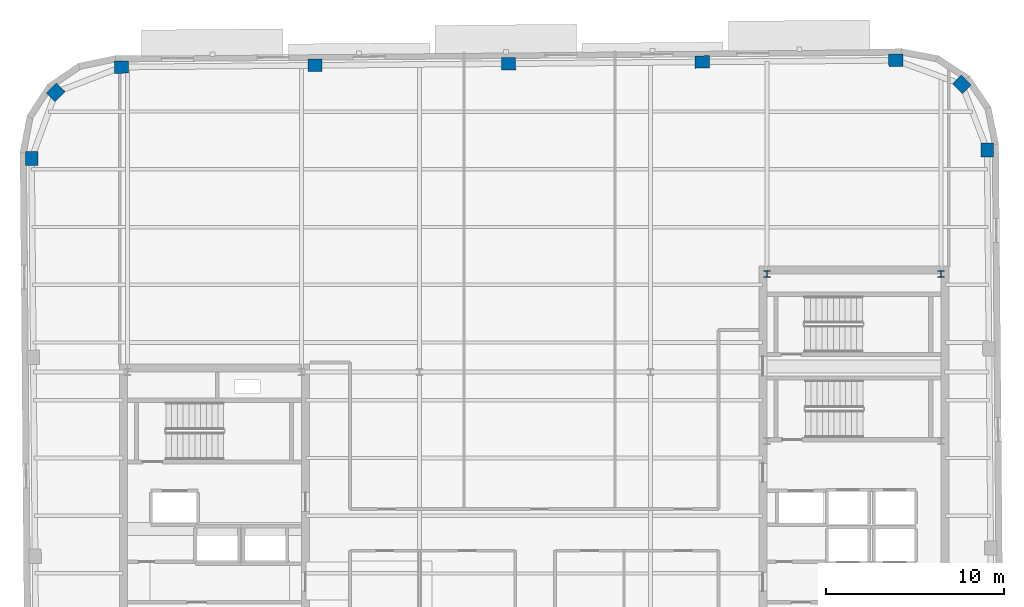
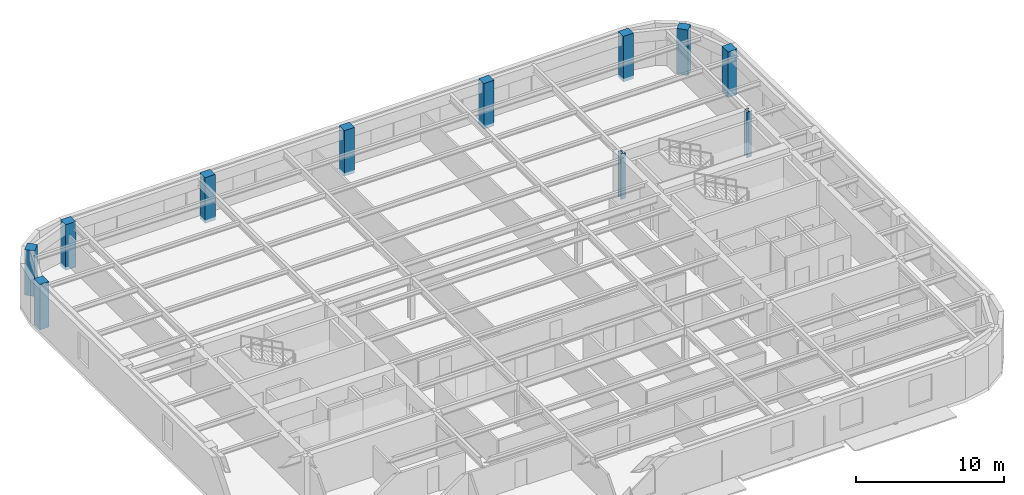
# One storey, part 3 of 13: 11 columns.
"""IFC4 building model written with IfcOpenShell, lengths in metres."""

from ifc_helpers import new_model, si_unit, direction, frame, origin, origin_2d, place, context, subcontext, project, spatial, rectangle, i_section, extrude, material, material_profile, profile_set, type_object, element, save


model = new_model("IFC4")

# Units and contexts
model_context = context("Model", 3, precision=1e-05, world=origin(), true_north=direction((0.0, 1.0)))
body_context = subcontext(model_context, "Body", "Model", "MODEL_VIEW")
ifc_project = project(units=[si_unit("LENGTHUNIT", "METRE"), si_unit("AREAUNIT", "SQUARE_METRE"), si_unit("VOLUMEUNIT", "CUBIC_METRE"), si_unit("PLANEANGLEUNIT", "RADIAN"), si_unit("MASSUNIT", "GRAM", prefix="KILO")], contexts=[model_context])

# Site, building, storey
site_placement = place(None, origin())
site = spatial("IfcSite", under=ifc_project, at=site_placement, CompositionType="ELEMENT")
building_placement = place(site_placement, origin())
building = spatial("IfcBuilding", under=site, at=building_placement, Name="Kolvaren Arena Tower", CompositionType="ELEMENT")
storey_placement = place(building_placement, frame((0.0, 0.0, 286.14990234375)))
storey = spatial("IfcBuildingStorey", under=building, at=storey_placement, Name="L70", CompositionType="ELEMENT", Elevation=286.14990234375)

# Columns
ifc_material_1 = material(Name="Precast concrete C50/60", Category="concrete")
ifc_material_profile_1 = material_profile(ifc_material_1, rectangle(XDim=0.800048828125, YDim=0.699951171875, at=origin_2d()), Name="RC-800x700")
ifc_profile_set_1 = profile_set([ifc_material_profile_1], Name="Precast concrete C50/60")
column_type_1 = type_object("IfcColumnType", Name="EXCOL-Z5", PredefinedType="COLUMN", material=ifc_profile_set_1)
for number, where, z_axis, x_axis, name in (
    (1, (62.952392578125, 46.333984375, -0.27001953125), (0.0, 0.0, 1.0), (-0.008726535498, 0.999961923064, 0.0), "Exoskeleton Perimeter Column 10 (L70)"),
    (2, (61.52880859375, 50.030517578125, -0.27001953125), (0.0, 0.0, 1.0), (-0.713250449154, 0.7009092643, 0.0), "Exoskeleton Perimeter Column 11 (L70)"),
    (3, (57.80810546875, 51.389404296875, -0.27001953125), (0.0, 0.0, 1.0), (0.999961923064, 0.008726535498, 0.0), "Exoskeleton Perimeter Column 12 (L70)"),
    (4, (46.908447265625, 51.294189453125, -0.27001953125), (0.0, 0.0, 1.0), (0.999961923064, 0.008726535498, 0.0), "Exoskeleton Perimeter Column 13 (L70)"),
    (5, (36.0087890625, 51.19921875, -0.27001953125), (0.0, 0.0, 1.0), (0.999961923064, 0.008726535498, 0.0), "Exoskeleton Perimeter Column 14 (L70)"),
    (6, (25.109375, 51.10400390625, -0.27001953125), (0.0, 0.0, 1.0), (0.999961923064, 0.008726535498, 0.0), "Exoskeleton Perimeter Column 15 (L70)"),
    (7, (14.209716796875, 51.0087890625, -0.27001953125), (0.0, 0.0, 1.0), (0.999961923064, 0.008726535498, 0.0), "Exoskeleton Perimeter Column 16 (L70)"),
    (8, (10.51318359375, 49.58544921875, -0.27001953125), (0.0, 0.0, 1.0), (0.7009092643, 0.713250449154, 0.0), "Exoskeleton Perimeter Column 17 (L70)"),
    (9, (9.154296875, 45.864501953125, -0.27001953125), (0.0, 0.0, 1.0), (-0.008726535498, 0.999961923064, 0.0), "Exoskeleton Perimeter Column 18 (L70)"),
):
    element("IfcColumn", number, at=place(storey_placement, frame(where, z_axis=z_axis, x_axis=x_axis)), inside=storey, type_object=column_type_1, Name=name, PredefinedType="COLUMN", context=body_context, shape_type="SweptSolid", body=[
        extrude(rectangle(XDim=0.800048828125, YDim=0.699951171875, at=origin_2d()), origin(), (0.0, 0.0, 1.0), 3.75),
    ])
ifc_material_2 = material(Name="Steel ASTM A913 Grade 65", Category="steel")
ifc_material_profile_2 = material_profile(ifc_material_2, i_section(OverallWidth=0.3740234375, OverallDepth=0.3720703125, WebThickness=0.016357421875, FlangeThickness=0.026123046875, FilletRadius=0.02001953125, at=origin_2d()), Name="W360x196")
ifc_profile_set_2 = profile_set([ifc_material_profile_2], Name="Steel ASTM A913 Grade 65")
column_type_2 = type_object("IfcColumnType", Name="SCOL-Z5", PredefinedType="COLUMN", material=ifc_profile_set_2)
for number, where, z_axis, x_axis, name in (
    (10, (50.550048828125, 39.35009765625, -0.27001953125), (0.0, 0.0, 1.0), (1.0, 0.0, 0.0), "Core Boundary Column EC-NW (L70)"),
    (11, (60.35009765625, 39.35009765625, -0.27001953125), (0.0, 0.0, 1.0), (1.0, 0.0, 0.0), "Core Boundary Column EC-NE (L70)"),
):
    element("IfcColumn", number, at=place(storey_placement, frame(where, z_axis=z_axis, x_axis=x_axis)), inside=storey, type_object=column_type_2, Name=name, PredefinedType="COLUMN", context=body_context, shape_type="SweptSolid", body=[
        extrude(i_section(OverallWidth=0.3740234375, OverallDepth=0.3720703125, WebThickness=0.016357421875, FlangeThickness=0.026123046875, FilletRadius=0.02001953125, at=origin_2d()), origin(), (0.0, 0.0, 1.0), 3.75),
    ])

save(model, "model.ifc")
